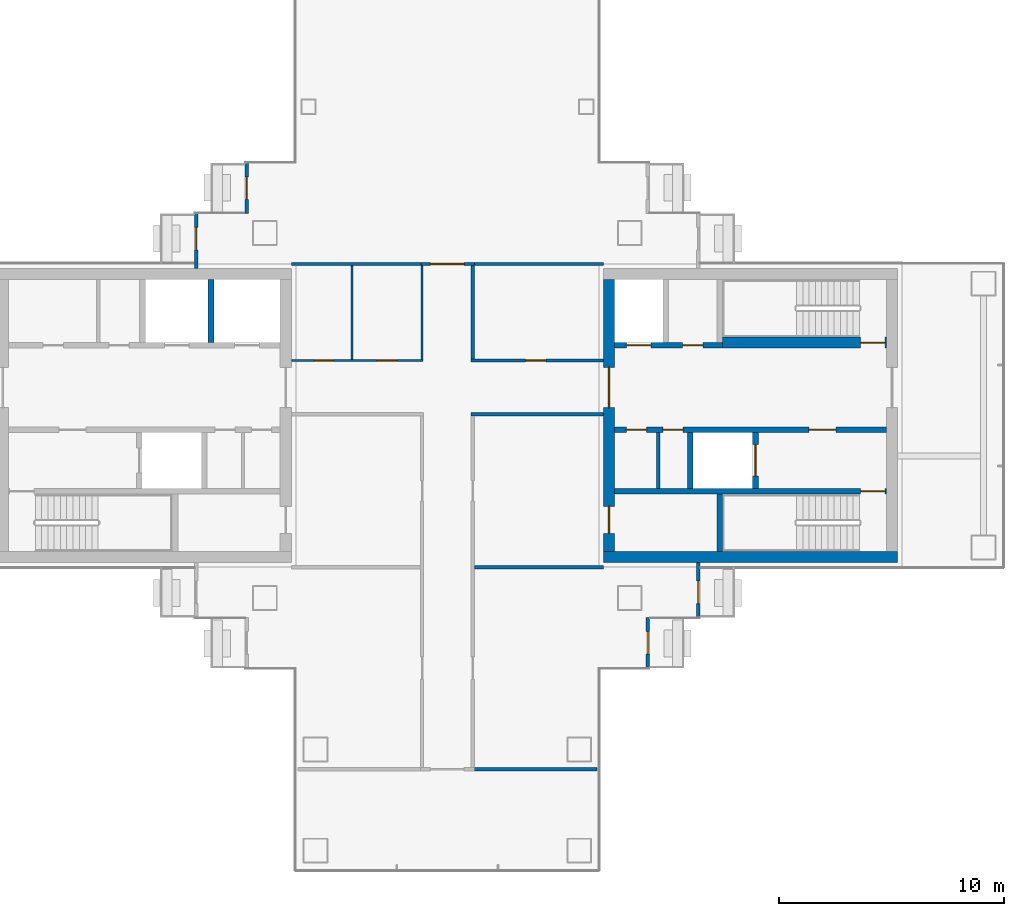
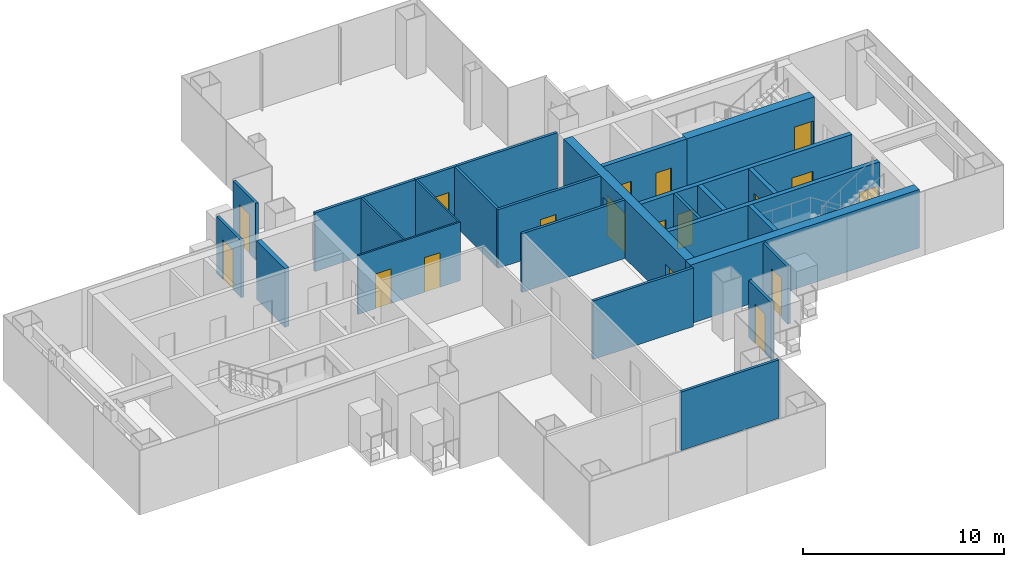
# One storey, part 12 of 17: 26 walls, 18 doors, 18 openings.
"""IFC4 building model written with IfcOpenShell, lengths in metres."""

import ifcopenshell
import ifcopenshell.guid

model = None  # the IFC model being written
_history = None  # IfcOwnerHistory: only IFC2X3 demands one
_inside = {}  # id of a spatial element -> (the spatial element, [elements in it])
_under = {}  # id of a project, library or spatial element -> (it, [spatial elements below it])
_declared = {}  # id of a project -> (the project, [libraries it declares])
_typed = {}  # id of a type object -> (the type object, [elements of that type])
_made_of = {}  # id of a material, layer set ... -> (it, [elements and type objects made of it])


def new_model(schema):
    """Start an empty IFC model of exactly this schema.

    Asked for "IFC4X3", IfcOpenShell would pick the latest addendum, in which some entities
    have other attributes; the version numbers below select the first issue.
    IFC2X3 requires an IfcOwnerHistory on every rooted entity: one is made here for all.
    """
    global model, _history
    if schema == "IFC4X3":
        model = ifcopenshell.file(schema_version=(4, 3, 0, 0))
    else:
        model = ifcopenshell.file(schema=schema)
    _inside.clear()
    _under.clear()
    _declared.clear()
    _typed.clear()
    _made_of.clear()
    _history = None
    if model.schema == "IFC2X3":
        org = make("IfcOrganization", Name="unknown")
        user = make(
            "IfcPersonAndOrganization",
            ThePerson=make("IfcPerson", FamilyName="unknown"),
            TheOrganization=org,
        )
        app = make(
            "IfcApplication",
            ApplicationDeveloper=org,
            Version="unknown",
            ApplicationFullName="unknown",
            ApplicationIdentifier="unknown",
        )
        _history = make(
            "IfcOwnerHistory",
            OwningUser=user,
            OwningApplication=app,
            ChangeAction="ADDED",
            CreationDate=0,
        )
    return model


def make(cls, **values):
    """One entity of the class cls with the attributes given. An attribute that is None is left unset."""
    return model.create_entity(
        cls, **{name: value for name, value in values.items() if value is not None}
    )


def rooted(cls, **values):
    """An entity with a GlobalId (a new one), such as an element, a storey or a relation."""
    return make(cls, GlobalId=ifcopenshell.guid.new(), OwnerHistory=_history, **values)


def si_unit(unit_type, name, prefix=None):
    """IfcSIUnit, for example si_unit("LENGTHUNIT", "METRE", prefix="MILLI")."""
    return make("IfcSIUnit", UnitType=unit_type, Prefix=prefix, Name=name)


def assignment(units):
    """IfcUnitAssignment: the units of a project."""
    return None if units is None else make("IfcUnitAssignment", Units=units)


def point(xyz):
    """IfcCartesianPoint."""
    return None if xyz is None else make("IfcCartesianPoint", Coordinates=xyz)


def direction(xyz):
    """IfcDirection."""
    return None if xyz is None else make("IfcDirection", DirectionRatios=xyz)


def frame(location, z_axis=None, x_axis=None):
    """IfcAxis2Placement3D, a coordinate frame: its origin and axes. An axis left out is left unset."""
    return make(
        "IfcAxis2Placement3D",
        Location=point(location),
        Axis=direction(z_axis),
        RefDirection=direction(x_axis),
    )


def frame_2d(location, x_axis=None):
    """IfcAxis2Placement2D, a coordinate frame in the plane: its origin and x axis."""
    return make(
        "IfcAxis2Placement2D", Location=point(location), RefDirection=direction(x_axis)
    )


def origin():
    """The frame at (0, 0, 0) with its axes left unset."""
    return frame((0.0, 0.0, 0.0))


def place(relative_to, where):
    """IfcLocalPlacement: puts the frame where relative to a parent placement (None: the world)."""
    return make(
        "IfcLocalPlacement", PlacementRelTo=relative_to, RelativePlacement=where
    )


def context(
    kind, dimensions, precision=None, world=None, true_north=None, identifier=None
):
    """IfcGeometricRepresentationContext, for example the 3D "Model" context."""
    return make(
        "IfcGeometricRepresentationContext",
        ContextIdentifier=identifier,
        ContextType=kind,
        CoordinateSpaceDimension=dimensions,
        Precision=precision,
        WorldCoordinateSystem=world,
        TrueNorth=true_north,
    )


def subcontext(parent, identifier, kind, view, scale=None):
    """IfcGeometricRepresentationSubContext, for example "Body" below "Model"."""
    return make(
        "IfcGeometricRepresentationSubContext",
        ContextIdentifier=identifier,
        ContextType=kind,
        ParentContext=parent,
        TargetScale=scale,
        TargetView=view,
    )


def project(units=None, contexts=None):
    """IfcProject with its units and contexts."""
    return rooted(
        "IfcProject",
        Name="project",
        RepresentationContexts=contexts,
        UnitsInContext=assignment(units),
    )


def spatial(cls, under=None, at=None, **own):
    """A site, building, storey or space (cls), placed at a placement, below another one or the project."""
    s = rooted(cls, ObjectPlacement=at, **own)
    if under is not None:
        _under.setdefault(under.id(), (under, []))[1].append(s)
    return s


def profile(cls, at=None, kind="AREA", **sizes):
    """A parametric profile (cls). Its sizes go by their IFC names, for example OverallWidth=200.0."""
    return make(cls, ProfileType=kind, Position=at, **sizes)


def rectangle(**sizes):
    """IfcRectangleProfileDef."""
    return profile("IfcRectangleProfileDef", **sizes)


def extrude(swept, where, along, depth):
    """IfcExtrudedAreaSolid: the profile swept, set in the frame where, extruded along a direction by depth."""
    return make(
        "IfcExtrudedAreaSolid",
        SweptArea=swept,
        Position=where,
        ExtrudedDirection=direction(along),
        Depth=depth,
    )


def shape(context_of_items, identifier, shape_type, items):
    """IfcShapeRepresentation: the items that make up one representation, for example the "Body"."""
    return make(
        "IfcShapeRepresentation",
        ContextOfItems=context_of_items,
        RepresentationIdentifier=identifier,
        RepresentationType=shape_type,
        Items=items,
    )


def material(Name=None, Category=None):
    """IfcMaterial."""
    return make("IfcMaterial", Name=Name, Category=Category)


def layer(
    of_material, thickness, ventilated=None, Name=None, Category=None, Priority=None
):
    """IfcMaterialLayer: one layer of a wall or slab, of a material (None: an air gap)."""
    return make(
        "IfcMaterialLayer",
        Material=of_material,
        LayerThickness=thickness,
        IsVentilated=ventilated,
        Name=Name,
        Category=Category,
        Priority=Priority,
    )


def layer_set(layers, Name=None):
    """IfcMaterialLayerSet."""
    return make("IfcMaterialLayerSet", MaterialLayers=layers, LayerSetName=Name)


def made_of(thing, what):
    """Note that an element or type object is made of a material, layer set ...; save() writes the relation."""
    if what is not None:
        _made_of.setdefault(what.id(), (what, []))[1].append(thing)
    return thing


def type_object(cls, material=None, **own):
    """A type object (cls), such as IfcWallType, which elements share."""
    return made_of(rooted(cls, **own), material)


def element(
    cls,
    number,
    at=None,
    inside=None,
    cuts=None,
    type_object=None,
    material=None,
    context=None,
    identifier="Body",
    shape_type=None,
    held_by="IfcProductDefinitionShape",
    body=None,
    shapes=None,
    **own,
):
    """One element of the class cls, such as IfcWall. Its Tag is "e" and its number.

    at: its placement. inside: the storey or other place that contains it. cuts: it is an
    opening in that element (IfcRelVoidsElement). A single representation is given by context,
    identifier, shape_type and body (its items); several are given by shapes. held_by: the class
    of the entity that holds the representations. save() writes the other relations.
    """
    e = rooted(cls, Tag="e%d" % number, ObjectPlacement=at, **own)
    if body is not None:
        shapes = [shape(context, identifier, shape_type, body)]
    if shapes is not None:
        e.Representation = make(held_by, Representations=shapes)
    if inside is not None:
        _inside.setdefault(inside.id(), (inside, []))[1].append(e)
    if cuts is not None:
        rooted(
            "IfcRelVoidsElement", RelatingBuildingElement=cuts, RelatedOpeningElement=e
        )
    if type_object is not None:
        _typed.setdefault(type_object.id(), (type_object, []))[1].append(e)
    return made_of(e, material)


def fill(opening, filler):
    """IfcRelFillsElement: the door or window that sits in an opening."""
    return rooted(
        "IfcRelFillsElement",
        RelatingOpeningElement=opening,
        RelatedBuildingElement=filler,
    )


def aggregate(whole, parts):
    """IfcRelAggregates: a whole, such as a stair, and the parts it consists of."""
    return rooted("IfcRelAggregates", RelatingObject=whole, RelatedObjects=parts)


def save(model, path):
    """Write the relations noted so far, then the file.

    IfcRelAggregates (storeys below a building ...), IfcRelContainedInSpatialStructure (elements
    in a storey), IfcRelDefinesByType, IfcRelAssociatesMaterial and IfcRelDeclares: one each for
    every whole, place, type object, material and project.
    """
    for whole, parts in _under.values():
        aggregate(whole, parts)
    for where, things in _inside.values():
        rooted(
            "IfcRelContainedInSpatialStructure",
            RelatedElements=things,
            RelatingStructure=where,
        )
    for kind, things in _typed.values():
        rooted("IfcRelDefinesByType", RelatedObjects=things, RelatingType=kind)
    for what, things in _made_of.values():
        rooted("IfcRelAssociatesMaterial", RelatedObjects=things, RelatingMaterial=what)
    for by, libraries in _declared.values():
        rooted("IfcRelDeclares", RelatingContext=by, RelatedDefinitions=libraries)
    model.write(path)


model = new_model("IFC4")

# Units and contexts
model_context = context("Model", 3, precision=1e-05, world=origin(), true_north=direction((0.0, 1.0)))
body_context = subcontext(model_context, "Body", "Model", "MODEL_VIEW")
ifc_project = project(units=[si_unit("LENGTHUNIT", "METRE"), si_unit("AREAUNIT", "SQUARE_METRE"), si_unit("VOLUMEUNIT", "CUBIC_METRE"), si_unit("PLANEANGLEUNIT", "RADIAN"), si_unit("MASSUNIT", "GRAM", prefix="KILO")], contexts=[model_context])

# Site, building, storey
site_placement = place(None, origin())
site = spatial("IfcSite", under=ifc_project, at=site_placement, CompositionType="ELEMENT")
building_placement = place(site_placement, origin())
building = spatial("IfcBuilding", under=site, at=building_placement, Name="Shamsa Quay Exchange Towers", CompositionType="ELEMENT")
storey_placement = place(building_placement, frame((0.0, 0.0, 170.10009765625)))
storey = spatial("IfcBuildingStorey", under=building, at=storey_placement, Name="L40", CompositionType="ELEMENT", Elevation=170.10009765625)

# Wall, opening, door
ifc_material_1 = material(Name="Aluminium EN AW-6063 T6, black anodised, with black enamelled glass infill", Category="aluminium")
ifc_layer_1 = layer(ifc_material_1, 0.14990234375)
ifc_layer_set_1 = layer_set([ifc_layer_1], Name="BALCONY DOOR BAY WALL 150")
wall_type_1 = type_object("IfcWallType", Name="BALCONY DOOR BAY WALL 150", PredefinedType="SOLIDWALL", material=ifc_layer_set_1)
wall_1_placement = place(storey_placement, frame((24.824951171875, 9.0, 0.0), z_axis=(0.0, 0.0, 1.0), x_axis=(0.0, 1.0, 0.0)))
wall_1 = element("IfcWall", 1, at=wall_1_placement, inside=storey, type_object=wall_type_1, Name="Door bay T2-PKEN L40", PredefinedType="SOLIDWALL", context=body_context, shape_type="SweptSolid", body=[
    extrude(rectangle(XDim=2.25, YDim=0.14990234375, at=frame_2d((1.125, 0.0))), origin(), (0.0, 0.0, 1.0), 3.449951171875),
])
opening_1_placement = place(wall_1_placement, frame((0.625, 0.0, 0.0)))
opening_1 = element("IfcOpeningElement", 2, at=opening_1_placement, cuts=wall_1, Name="Opening XD249", PredefinedType="OPENING", context=body_context, shape_type="SweptSolid", body=[
    extrude(rectangle(XDim=1.0, YDim=2.39990234375, at=frame_2d((0.5, 1.199951171875))), frame((0.0, 0.0849609375, 0.0), z_axis=(0.0, -1.0, 0.0), x_axis=(1.0, 0.0, 0.0)), (0.0, 0.0, 1.0), 0.169921875),
])
ifc_material_2 = material(Name="Aluminium EN AW-6063 T6, black anodised, with laminated glass leaf", Category="aluminium")
door_type_1 = type_object("IfcDoorType", Name="BALCONY DOOR 1000x2400", OperationType="SINGLE_SWING_LEFT", PredefinedType="DOOR", material=ifc_material_2)
door_1_placement = place(opening_1_placement, origin())
door_1 = element("IfcDoor", 3, at=door_1_placement, inside=storey, type_object=door_type_1, Name="Balcony door T2-PKEN L40", OperationType="SINGLE_SWING_RIGHT", OverallHeight=2.39990234375, OverallWidth=1.0, PredefinedType="DOOR", context=body_context, shape_type="SweptSolid", body=[
    extrude(rectangle(XDim=1.0, YDim=2.39990234375, at=frame_2d((0.5, 1.199951171875))), frame((0.0, 0.02490234375, 0.0), z_axis=(0.0, -1.0, 0.0), x_axis=(1.0, 0.0, 0.0)), (0.0, 0.0, 1.0), 0.050048828125),
])
fill(opening_1, door_1)

wall_2_placement = place(storey_placement, frame((22.574951171875, 6.54296875, 0.0), z_axis=(0.0, 0.0, 1.0), x_axis=(0.0, 1.0, 0.0)))
wall_2 = element("IfcWall", 4, at=wall_2_placement, inside=storey, type_object=wall_type_1, Name="Door bay T2-PKEN L40", PredefinedType="SOLIDWALL", context=body_context, shape_type="SweptSolid", body=[
    extrude(rectangle(XDim=2.45703125, YDim=0.14990234375, at=frame_2d((1.228515625, 0.0))), origin(), (0.0, 0.0, 1.0), 3.449951171875),
])
opening_2_placement = place(wall_2_placement, frame((0.83203125, 0.0, 0.0)))
opening_2 = element("IfcOpeningElement", 5, at=opening_2_placement, cuts=wall_2, Name="Opening XD250", PredefinedType="OPENING", context=body_context, shape_type="SweptSolid", body=[
    extrude(rectangle(XDim=1.0, YDim=2.39990234375, at=frame_2d((0.5, 1.199951171875))), frame((0.0, 0.0849609375, 0.0), z_axis=(0.0, -1.0, 0.0), x_axis=(1.0, 0.0, 0.0)), (0.0, 0.0, 1.0), 0.169921875),
])
door_2_placement = place(opening_2_placement, origin())
door_2 = element("IfcDoor", 6, at=door_2_placement, inside=storey, type_object=door_type_1, Name="Balcony door T2-PKEN L40", OperationType="SINGLE_SWING_LEFT", OverallHeight=2.39990234375, OverallWidth=1.0, PredefinedType="DOOR", context=body_context, shape_type="SweptSolid", body=[
    extrude(rectangle(XDim=1.0, YDim=2.39990234375, at=frame_2d((0.5, 1.199951171875))), frame((0.0, 0.02490234375, 0.0), z_axis=(0.0, -1.0, 0.0), x_axis=(1.0, 0.0, 0.0)), (0.0, 0.0, 1.0), 0.050048828125),
])
fill(opening_2, door_2)

wall_3_placement = place(storey_placement, frame((42.675048828125, -9.0, 0.0), z_axis=(0.0, 0.0, 1.0), x_axis=(0.0, -1.0, 0.0)))
wall_3 = element("IfcWall", 7, at=wall_3_placement, inside=storey, type_object=wall_type_1, Name="Door bay T2-PKWS L40", PredefinedType="SOLIDWALL", context=body_context, shape_type="SweptSolid", body=[
    extrude(rectangle(XDim=2.25, YDim=0.14990234375, at=frame_2d((1.125, 0.0))), origin(), (0.0, 0.0, 1.0), 3.449951171875),
])
opening_3_placement = place(wall_3_placement, frame((0.625, 0.0, 0.0)))
opening_3 = element("IfcOpeningElement", 8, at=opening_3_placement, cuts=wall_3, Name="Opening XD255", PredefinedType="OPENING", context=body_context, shape_type="SweptSolid", body=[
    extrude(rectangle(XDim=1.0, YDim=2.39990234375, at=frame_2d((0.5, 1.199951171875))), frame((0.0, 0.0849609375, 0.0), z_axis=(0.0, -1.0, 0.0), x_axis=(1.0, 0.0, 0.0)), (0.0, 0.0, 1.0), 0.169921875),
])
door_3_placement = place(opening_3_placement, origin())
door_3 = element("IfcDoor", 9, at=door_3_placement, inside=storey, type_object=door_type_1, Name="Balcony door T2-PKWS L40", OperationType="SINGLE_SWING_LEFT", OverallHeight=2.39990234375, OverallWidth=1.0, PredefinedType="DOOR", context=body_context, shape_type="SweptSolid", body=[
    extrude(rectangle(XDim=1.0, YDim=2.39990234375, at=frame_2d((0.5, 1.199951171875))), frame((0.0, 0.02490234375, 0.0), z_axis=(0.0, -1.0, 0.0), x_axis=(1.0, 0.0, 0.0)), (0.0, 0.0, 1.0), 0.050048828125),
])
fill(opening_3, door_3)

wall_4_placement = place(storey_placement, frame((44.925048828125, -6.54296875, 0.0), z_axis=(0.0, 0.0, 1.0), x_axis=(0.0, -1.0, 0.0)))
wall_4 = element("IfcWall", 10, at=wall_4_placement, inside=storey, type_object=wall_type_1, Name="Door bay T2-PKWS L40", PredefinedType="SOLIDWALL", context=body_context, shape_type="SweptSolid", body=[
    extrude(rectangle(XDim=2.45703125, YDim=0.14990234375, at=frame_2d((1.228515625, 0.0))), origin(), (0.0, 0.0, 1.0), 3.449951171875),
])
opening_4_placement = place(wall_4_placement, frame((0.83203125, 0.0, 0.0)))
opening_4 = element("IfcOpeningElement", 11, at=opening_4_placement, cuts=wall_4, Name="Opening XD256", PredefinedType="OPENING", context=body_context, shape_type="SweptSolid", body=[
    extrude(rectangle(XDim=1.0, YDim=2.39990234375, at=frame_2d((0.5, 1.199951171875))), frame((0.0, 0.0849609375, 0.0), z_axis=(0.0, -1.0, 0.0), x_axis=(1.0, 0.0, 0.0)), (0.0, 0.0, 1.0), 0.169921875),
])
door_4_placement = place(opening_4_placement, origin())
door_4 = element("IfcDoor", 12, at=door_4_placement, inside=storey, type_object=door_type_1, Name="Balcony door T2-PKWS L40", OperationType="SINGLE_SWING_RIGHT", OverallHeight=2.39990234375, OverallWidth=1.0, PredefinedType="DOOR", context=body_context, shape_type="SweptSolid", body=[
    extrude(rectangle(XDim=1.0, YDim=2.39990234375, at=frame_2d((0.5, 1.199951171875))), frame((0.0, 0.02490234375, 0.0), z_axis=(0.0, -1.0, 0.0), x_axis=(1.0, 0.0, 0.0)), (0.0, 0.0, 1.0), 0.050048828125),
])
fill(opening_4, door_4)

# Wall
ifc_material_3 = material(Name="Concrete C60/75", Category="concrete")
ifc_layer_2 = layer(ifc_material_3, 0.5)
ifc_layer_set_2 = layer_set([ifc_layer_2], Name="CORE WALL 500 C60/75")
wall_type_2 = type_object("IfcWallType", Name="CORE WALL 500 C60/75", PredefinedType="SHEAR", material=ifc_layer_set_2)
wall_5_placement = place(storey_placement, frame((53.800048828125, -6.300048828125, 0.0), z_axis=(0.0, 0.0, 1.0), x_axis=(-1.0, 0.0, 0.0)))
element("IfcWall", 13, at=wall_5_placement, inside=storey, type_object=wall_type_2, Name="Core wall T2B-R19-PS", PredefinedType="SHEAR", context=body_context, shape_type="SweptSolid", body=[
    extrude(rectangle(XDim=13.10009765625, YDim=0.5, at=frame_2d((6.550048828125, 0.0))), origin(), (0.0, 0.0, 1.0), 3.5498046875),
])

# Wall, openings, doors
wall_6_placement = place(storey_placement, frame((40.949951171875, -6.050048828125, 0.0), z_axis=(0.0, 0.0, 1.0), x_axis=(0.0, 1.0, 0.0)))
wall_6 = element("IfcWall", 14, at=wall_6_placement, inside=storey, type_object=wall_type_2, Name="Core wall T2B-R19-PB", PredefinedType="SHEAR", context=body_context, shape_type="SweptSolid", body=[
    extrude(rectangle(XDim=12.10009765625, YDim=0.5, at=frame_2d((6.050048828125, 0.0))), origin(), (0.0, 0.0, 1.0), 3.5498046875),
])
opening_5_placement = place(wall_6_placement, frame((0.800048828125, 0.0, 0.0)))
opening_5 = element("IfcOpeningElement", 15, at=opening_5_placement, cuts=wall_6, Name="Opening T2B-R19-RD02", PredefinedType="OPENING", context=body_context, shape_type="SweptSolid", body=[
    extrude(rectangle(XDim=1.199951171875, YDim=2.10009765625, at=frame_2d((0.60009765625, 1.050048828125))), frame((0.0, 0.260009765625, 0.0), z_axis=(0.0, -1.0, 0.0), x_axis=(1.0, 0.0, 0.0)), (0.0, 0.0, 1.0), 0.52001953125),
])
opening_6_placement = place(wall_6_placement, frame((6.39990234375, 0.0, 0.0)))
opening_6 = element("IfcOpeningElement", 16, at=opening_6_placement, cuts=wall_6, Name="Opening T2B-R19-LBD03", PredefinedType="OPENING", context=body_context, shape_type="SweptSolid", body=[
    extrude(rectangle(XDim=1.800048828125, YDim=2.39990234375, at=frame_2d((0.89990234375, 1.199951171875))), frame((0.0, 0.260009765625, 0.0), z_axis=(0.0, -1.0, 0.0), x_axis=(1.0, 0.0, 0.0)), (0.0, 0.0, 1.0), 0.52001953125),
])
ifc_material_4 = material(Name="Steel, fire rated", Category="steel")
door_type_2 = type_object("IfcDoorType", Name="LIFT LOBBY DOOR PAIR 1800", OperationType="DOUBLE_DOOR_SINGLE_SWING", PredefinedType="DOOR", material=ifc_material_4)
door_5_placement = place(opening_6_placement, origin())
door_5 = element("IfcDoor", 17, at=door_5_placement, inside=storey, type_object=door_type_2, Name="T2B-R19-LBD03", OperationType="DOUBLE_DOOR_SINGLE_SWING", OverallHeight=2.39990234375, OverallWidth=1.800048828125, PredefinedType="DOOR", context=body_context, shape_type="SweptSolid", body=[
    extrude(rectangle(XDim=1.800048828125, YDim=2.39990234375, at=frame_2d((0.89990234375, 1.199951171875))), frame((0.0, 0.02490234375, 0.0), z_axis=(0.0, -1.0, 0.0), x_axis=(1.0, 0.0, 0.0)), (0.0, 0.0, 1.0), 0.050048828125),
])
fill(opening_6, door_5)
door_type_3 = type_object("IfcDoorType", Name="RISER ACCESS DOOR 1200", OperationType="SINGLE_SWING_LEFT", PredefinedType="DOOR", material=ifc_material_4)
door_6_placement = place(opening_5_placement, origin())
door_6 = element("IfcDoor", 18, at=door_6_placement, inside=storey, type_object=door_type_3, Name="T2B-R19-RD02", OperationType="SINGLE_SWING_LEFT", OverallHeight=2.10009765625, OverallWidth=1.199951171875, PredefinedType="DOOR", context=body_context, shape_type="SweptSolid", body=[
    extrude(rectangle(XDim=1.199951171875, YDim=2.10009765625, at=frame_2d((0.60009765625, 1.050048828125))), frame((0.0, 0.02490234375, 0.0), z_axis=(0.0, -1.0, 0.0), x_axis=(1.0, 0.0, 0.0)), (0.0, 0.0, 1.0), 0.050048828125),
])
fill(opening_5, door_6)

# Walls
ifc_material_5 = material(Name="Gypsum board on steel studs, EI 60", Category="steel")
ifc_layer_3 = layer(ifc_material_5, 0.14990234375)
ifc_layer_set_3 = layer_set([ifc_layer_3], Name="FIRE PARTITION 150")
wall_type_3 = type_object("IfcWallType", Name="FIRE PARTITION 150", PredefinedType="PARTITIONING", material=ifc_layer_set_3)
wall_7_placement = place(storey_placement, frame((43.14990234375, -3.25, 0.0), z_axis=(0.0, 0.0, 1.0), x_axis=(0.0, 1.0, 0.0)))
element("IfcWall", 19, at=wall_7_placement, inside=storey, type_object=wall_type_3, Name="Partition T2B-R19-EC0", PredefinedType="PARTITIONING", context=body_context, shape_type="SweptSolid", body=[
    extrude(rectangle(XDim=2.5, YDim=0.14990234375, at=frame_2d((1.25, 0.0))), origin(), (0.0, 0.0, 1.0), 3.5498046875),
])
ifc_material_6 = material(Name="Gypsum board partition on metal studs")
ifc_layer_4 = layer(ifc_material_6, 0.10009765625)
ifc_layer_set_4 = layer_set([ifc_layer_4], Name="Partition 100 mm NOT RATED")
wall_type_4 = type_object("IfcWallType", Name="Partition 100 mm NOT RATED", PredefinedType="PARTITIONING", material=ifc_layer_set_4)
wall_8_placement = place(storey_placement, frame((32.625, 2.500244140625, 0.0), z_axis=(0.0, 0.0, 1.0), x_axis=(0.0, 1.0, 0.0)))
element("IfcWall", 20, at=wall_8_placement, inside=storey, type_object=wall_type_4, Name="Partition T2-R19-W01", PredefinedType="PARTITIONING", context=body_context, shape_type="SweptSolid", body=[
    extrude(rectangle(XDim=4.1748046875, YDim=0.10009765625, at=frame_2d((2.08740234375, 0.0))), origin(), (0.0, 0.0, 1.0), 3.5498046875),
])

# Wall, openings, doors
wall_9_placement = place(storey_placement, frame((26.800048828125, 2.4501953125, 0.0)))
wall_9 = element("IfcWall", 21, at=wall_9_placement, inside=storey, type_object=wall_type_4, Name="Partition T2-R19-W02", PredefinedType="PARTITIONING", context=body_context, shape_type="SweptSolid", body=[
    extrude(rectangle(XDim=5.875, YDim=0.10009765625, at=frame_2d((2.9375, 0.0))), origin(), (0.0, 0.0, 1.0), 3.5498046875),
])
opening_7_placement = place(wall_9_placement, frame((3.8125, 0.0, 0.0)))
opening_7 = element("IfcOpeningElement", 22, at=opening_7_placement, cuts=wall_9, Name="Opening T2-R19-D08", PredefinedType="OPENING", context=body_context, shape_type="SweptSolid", body=[
    extrude(rectangle(XDim=0.89990234375, YDim=2.10009765625, at=frame_2d((0.449951171875, 1.050048828125))), frame((0.0, 0.06005859375, 0.0), z_axis=(0.0, -1.0, 0.0), x_axis=(1.0, 0.0, 0.0)), (0.0, 0.0, 1.0), 0.1201171875),
])
opening_8_placement = place(wall_9_placement, frame((1.0, 0.0, 0.0)))
opening_8 = element("IfcOpeningElement", 23, at=opening_8_placement, cuts=wall_9, Name="Opening T2-R19-D09", PredefinedType="OPENING", context=body_context, shape_type="SweptSolid", body=[
    extrude(rectangle(XDim=0.89990234375, YDim=2.10009765625, at=frame_2d((0.449951171875, 1.050048828125))), frame((0.0, 0.06005859375, 0.0), z_axis=(0.0, -1.0, 0.0), x_axis=(1.0, 0.0, 0.0)), (0.0, 0.0, 1.0), 0.1201171875),
])
ifc_material_7 = material(Name="Timber door leaf in a metal frame", Category="wood")
door_type_4 = type_object("IfcDoorType", Name="Door 900x2100 NOT RATED", OperationType="NOTDEFINED", PredefinedType="DOOR", material=ifc_material_7)
door_7_placement = place(opening_7_placement, origin())
door_7 = element("IfcDoor", 24, at=door_7_placement, inside=storey, type_object=door_type_4, Name="Door T2-R19-D08", OperationType="SINGLE_SWING_LEFT", OverallHeight=2.10009765625, OverallWidth=0.89990234375, PredefinedType="DOOR", context=body_context, shape_type="SweptSolid", body=[
    extrude(rectangle(XDim=0.89990234375, YDim=2.10009765625, at=frame_2d((0.449951171875, 1.050048828125))), frame((0.0, 0.02490234375, 0.0), z_axis=(0.0, -1.0, 0.0), x_axis=(1.0, 0.0, 0.0)), (0.0, 0.0, 1.0), 0.050048828125),
])
fill(opening_7, door_7)
door_8_placement = place(opening_8_placement, origin())
door_8 = element("IfcDoor", 25, at=door_8_placement, inside=storey, type_object=door_type_4, Name="Door T2-R19-D09", OperationType="SINGLE_SWING_RIGHT", OverallHeight=2.10009765625, OverallWidth=0.89990234375, PredefinedType="DOOR", context=body_context, shape_type="SweptSolid", body=[
    extrude(rectangle(XDim=0.89990234375, YDim=2.10009765625, at=frame_2d((0.449951171875, 1.050048828125))), frame((0.0, 0.02490234375, 0.0), z_axis=(0.0, -1.0, 0.0), x_axis=(1.0, 0.0, 0.0)), (0.0, 0.0, 1.0), 0.050048828125),
])
fill(opening_8, door_8)

# Walls
wall_10_placement = place(storey_placement, frame((29.5, 6.675048828125, 0.0), z_axis=(0.0, 0.0, 1.0), x_axis=(0.0, -1.0, 0.0)))
element("IfcWall", 26, at=wall_10_placement, inside=storey, type_object=wall_type_4, Name="Partition T2-R19-W11", PredefinedType="PARTITIONING", context=body_context, shape_type="SweptSolid", body=[
    extrude(rectangle(XDim=4.1748046875, YDim=0.10009765625, at=frame_2d((2.08740234375, 0.0))), origin(), (0.0, 0.0, 1.0), 3.5498046875),
])
ifc_layer_5 = layer(ifc_material_6, 0.14990234375)
ifc_layer_set_5 = layer_set([ifc_layer_5], Name="Partition 150 mm EI 60")
wall_type_5 = type_object("IfcWallType", Name="Partition 150 mm EI 60", PredefinedType="PARTITIONING", material=ifc_layer_set_5)
wall_11_placement = place(storey_placement, frame((40.699951171875, 0.0498046875, 0.0), z_axis=(0.0, 0.0, 1.0), x_axis=(-1.0, 0.0, 0.0)))
element("IfcWall", 27, at=wall_11_placement, inside=storey, type_object=wall_type_5, Name="Partition T2-R19-W04", PredefinedType="PARTITIONING", context=body_context, shape_type="SweptSolid", body=[
    extrude(rectangle(XDim=5.89990234375, YDim=0.14990234375, at=frame_2d((2.949951171875, 0.0))), origin(), (0.0, 0.0, 1.0), 3.5498046875),
])

# Wall, opening, door
wall_12_placement = place(storey_placement, frame((34.800048828125, 2.4501953125, 0.0)))
wall_12 = element("IfcWall", 28, at=wall_12_placement, inside=storey, type_object=wall_type_5, Name="Partition T2-R19-W06", PredefinedType="PARTITIONING", context=body_context, shape_type="SweptSolid", body=[
    extrude(rectangle(XDim=5.89990234375, YDim=0.14990234375, at=frame_2d((2.949951171875, 0.0))), origin(), (0.0, 0.0, 1.0), 3.5498046875),
])
opening_9_placement = place(wall_12_placement, frame((2.4375, 0.0, 0.0)))
opening_9 = element("IfcOpeningElement", 29, at=opening_9_placement, cuts=wall_12, Name="Opening T2-R19-D01", PredefinedType="OPENING", context=body_context, shape_type="SweptSolid", body=[
    extrude(rectangle(XDim=0.89990234375, YDim=2.10009765625, at=frame_2d((0.449951171875, 1.050048828125))), frame((0.0, 0.0849609375, 0.0), z_axis=(0.0, -1.0, 0.0), x_axis=(1.0, 0.0, 0.0)), (0.0, 0.0, 1.0), 0.169921875),
])
door_type_5 = type_object("IfcDoorType", Name="Door 900x2100 FD30S", OperationType="NOTDEFINED", PredefinedType="DOOR", material=ifc_material_7)
door_9_placement = place(opening_9_placement, origin())
door_9 = element("IfcDoor", 30, at=door_9_placement, inside=storey, type_object=door_type_5, Name="Door T2-R19-D01", OperationType="SINGLE_SWING_RIGHT", OverallHeight=2.10009765625, OverallWidth=0.89990234375, PredefinedType="DOOR", context=body_context, shape_type="SweptSolid", body=[
    extrude(rectangle(XDim=0.89990234375, YDim=2.10009765625, at=frame_2d((0.449951171875, 1.050048828125))), frame((0.0, 0.02490234375, 0.0), z_axis=(0.0, -1.0, 0.0), x_axis=(1.0, 0.0, 0.0)), (0.0, 0.0, 1.0), 0.050048828125),
])
fill(opening_9, door_9)

# Wall
wall_13_placement = place(storey_placement, frame((34.875, 6.675048828125, 0.0), z_axis=(0.0, 0.0, 1.0), x_axis=(0.0, -1.0, 0.0)))
element("IfcWall", 31, at=wall_13_placement, inside=storey, type_object=wall_type_5, Name="Partition T2-R19-W08", PredefinedType="PARTITIONING", context=body_context, shape_type="SweptSolid", body=[
    extrude(rectangle(XDim=4.14990234375, YDim=0.14990234375, at=frame_2d((2.074951171875, 0.0))), origin(), (0.0, 0.0, 1.0), 3.5498046875),
])

# Wall, opening, door
wall_14_placement = place(storey_placement, frame((32.574951171875, 6.75, 0.0)))
wall_14 = element("IfcWall", 32, at=wall_14_placement, inside=storey, type_object=wall_type_5, Name="Partition T2-R19-W09", PredefinedType="PARTITIONING", context=body_context, shape_type="SweptSolid", body=[
    extrude(rectangle(XDim=2.375, YDim=0.14990234375, at=frame_2d((1.1875, 0.0))), origin(), (0.0, 0.0, 1.0), 3.5498046875),
])
opening_10_placement = place(wall_14_placement, frame((0.425048828125, 0.0, 0.0)))
opening_10 = element("IfcOpeningElement", 33, at=opening_10_placement, cuts=wall_14, Name="Opening T2-R19-D04", PredefinedType="OPENING", context=body_context, shape_type="SweptSolid", body=[
    extrude(rectangle(XDim=1.5, YDim=2.10009765625, at=frame_2d((0.75, 1.050048828125))), frame((0.0, 0.0849609375, 0.0), z_axis=(0.0, -1.0, 0.0), x_axis=(1.0, 0.0, 0.0)), (0.0, 0.0, 1.0), 0.169921875),
])
door_type_6 = type_object("IfcDoorType", Name="Door 1500x2100 FD30S pair", OperationType="NOTDEFINED", PredefinedType="DOOR", material=ifc_material_7)
door_10_placement = place(opening_10_placement, origin())
door_10 = element("IfcDoor", 34, at=door_10_placement, inside=storey, type_object=door_type_6, Name="Door T2-R19-D04", OperationType="DOUBLE_DOOR_SINGLE_SWING", OverallHeight=2.10009765625, OverallWidth=1.5, PredefinedType="DOOR", context=body_context, shape_type="SweptSolid", body=[
    extrude(rectangle(XDim=1.5, YDim=2.10009765625, at=frame_2d((0.75, 1.050048828125))), frame((0.0, 0.02490234375, 0.0), z_axis=(0.0, -1.0, 0.0), x_axis=(1.0, 0.0, 0.0)), (0.0, 0.0, 1.0), 0.050048828125),
])
fill(opening_10, door_10)

# Walls
wall_15_placement = place(storey_placement, frame((32.675048828125, 6.75, 0.0), z_axis=(0.0, 0.0, 1.0), x_axis=(-1.0, 0.0, 0.0)))
element("IfcWall", 35, at=wall_15_placement, inside=storey, type_object=wall_type_5, Name="Partition T2-R19-W12", PredefinedType="PARTITIONING", context=body_context, shape_type="SweptSolid", body=[
    extrude(rectangle(XDim=5.875, YDim=0.14990234375, at=frame_2d((2.9375, 0.0))), origin(), (0.0, 0.0, 1.0), 3.5498046875),
])
wall_16_placement = place(storey_placement, frame((40.699951171875, 6.75, 0.0), z_axis=(0.0, 0.0, 1.0), x_axis=(-1.0, 0.0, 0.0)))
element("IfcWall", 36, at=wall_16_placement, inside=storey, type_object=wall_type_5, Name="Partition T2-R19-W13", PredefinedType="PARTITIONING", context=body_context, shape_type="SweptSolid", body=[
    extrude(rectangle(XDim=5.89990234375, YDim=0.14990234375, at=frame_2d((2.949951171875, 0.0))), origin(), (0.0, 0.0, 1.0), 3.5498046875),
])
wall_17_placement = place(storey_placement, frame((34.949951171875, -6.75, 0.0)))
element("IfcWall", 37, at=wall_17_placement, inside=storey, type_object=wall_type_5, Name="Partition T2-R19-W14", PredefinedType="PARTITIONING", context=body_context, shape_type="SweptSolid", body=[
    extrude(rectangle(XDim=5.75, YDim=0.14990234375, at=frame_2d((2.875, 0.0))), origin(), (0.0, 0.0, 1.0), 3.5498046875),
])
wall_18_placement = place(storey_placement, frame((34.800048828125, -15.75, 0.0)))
element("IfcWall", 38, at=wall_18_placement, inside=storey, type_object=wall_type_5, Name="Partition T2-R19-W16", PredefinedType="PARTITIONING", context=body_context, shape_type="SweptSolid", body=[
    extrude(rectangle(XDim=5.60498046875, YDim=0.14990234375, at=frame_2d((2.802490234375, 0.0))), origin(), (0.0, 0.0, 1.0), 3.5498046875),
])
ifc_material_8 = material(Name="Concrete C50/60", Category="concrete")
ifc_layer_6 = layer(ifc_material_8, 0.25)
ifc_layer_set_6 = layer_set([ifc_layer_6], Name="SHAFT WALL 250 C50/60")
wall_type_6 = type_object("IfcWallType", Name="SHAFT WALL 250 C50/60", PredefinedType="SHEAR", material=ifc_layer_set_6)
wall_19_placement = place(storey_placement, frame((23.22509765625, 3.25, 0.0), z_axis=(0.0, 0.0, 1.0), x_axis=(0.0, 1.0, 0.0)))
element("IfcWall", 39, at=wall_19_placement, inside=storey, type_object=wall_type_6, Name="Shaft wall T2A-R19-D2", PredefinedType="SHEAR", context=body_context, shape_type="SweptSolid", body=[
    extrude(rectangle(XDim=2.800048828125, YDim=0.25, at=frame_2d((1.39990234375, 0.0))), origin(), (0.0, 0.0, 1.0), 3.5498046875),
])

# Wall, opening, door
wall_20_placement = place(storey_placement, frame((53.300048828125, -3.375, 0.0), z_axis=(0.0, 0.0, 1.0), x_axis=(-1.0, 0.0, 0.0)))
wall_20 = element("IfcWall", 40, at=wall_20_placement, inside=storey, type_object=wall_type_6, Name="Shaft wall T2B-R19-STL", PredefinedType="SHEAR", context=body_context, shape_type="SweptSolid", body=[
    extrude(rectangle(XDim=12.10009765625, YDim=0.25, at=frame_2d((6.050048828125, 0.0))), origin(), (0.0, 0.0, 1.0), 3.5498046875),
])
opening_11_placement = place(wall_20_placement, frame((0.050048828125, 0.0, 0.0)))
opening_11 = element("IfcOpeningElement", 41, at=opening_11_placement, cuts=wall_20, Name="Opening T2B-R19-SD04", PredefinedType="OPENING", context=body_context, shape_type="SweptSolid", body=[
    extrude(rectangle(XDim=1.10009765625, YDim=2.10009765625, at=frame_2d((0.550048828125, 1.050048828125))), frame((0.0, 0.135009765625, 0.0), z_axis=(0.0, -1.0, 0.0), x_axis=(1.0, 0.0, 0.0)), (0.0, 0.0, 1.0), 0.27001953125),
])
door_type_7 = type_object("IfcDoorType", Name="STAIR DOOR 1100", OperationType="SINGLE_SWING_LEFT", PredefinedType="DOOR", material=ifc_material_4)
door_11_placement = place(opening_11_placement, origin())
door_11 = element("IfcDoor", 42, at=door_11_placement, inside=storey, type_object=door_type_7, Name="T2B-R19-SD04", OperationType="SINGLE_SWING_LEFT", OverallHeight=2.10009765625, OverallWidth=1.10009765625, PredefinedType="DOOR", context=body_context, shape_type="SweptSolid", body=[
    extrude(rectangle(XDim=1.10009765625, YDim=2.10009765625, at=frame_2d((0.550048828125, 1.050048828125))), frame((0.0, 0.02490234375, 0.0), z_axis=(0.0, -1.0, 0.0), x_axis=(1.0, 0.0, 0.0)), (0.0, 0.0, 1.0), 0.050048828125),
])
fill(opening_11, door_11)

# Wall
wall_21_placement = place(storey_placement, frame((45.875, -6.050048828125, 0.0), z_axis=(0.0, 0.0, 1.0), x_axis=(0.0, 1.0, 0.0)))
element("IfcWall", 43, at=wall_21_placement, inside=storey, type_object=wall_type_6, Name="Shaft wall T2B-R19-STF", PredefinedType="SHEAR", context=body_context, shape_type="SweptSolid", body=[
    extrude(rectangle(XDim=2.550048828125, YDim=0.25, at=frame_2d((1.27490234375, 0.0))), origin(), (0.0, 0.0, 1.0), 3.5498046875),
])

# Wall, openings, doors
wall_22_placement = place(storey_placement, frame((53.300048828125, -0.625, 0.0), z_axis=(0.0, 0.0, 1.0), x_axis=(-1.0, 0.0, 0.0)))
wall_22 = element("IfcWall", 44, at=wall_22_placement, inside=storey, type_object=wall_type_6, Name="Shaft wall T2B-R19-B", PredefinedType="SHEAR", context=body_context, shape_type="SweptSolid", body=[
    extrude(rectangle(XDim=12.10009765625, YDim=0.25, at=frame_2d((6.050048828125, 0.0))), origin(), (0.0, 0.0, 1.0), 3.5498046875),
])
opening_12_placement = place(wall_22_placement, frame((2.25, 0.0, 0.0)))
opening_12 = element("IfcOpeningElement", 45, at=opening_12_placement, cuts=wall_22, Name="Opening T2B-R19-FD05", PredefinedType="OPENING", context=body_context, shape_type="SweptSolid", body=[
    extrude(rectangle(XDim=1.199951171875, YDim=2.10009765625, at=frame_2d((0.60009765625, 1.050048828125))), frame((0.0, 0.135009765625, 0.0), z_axis=(0.0, -1.0, 0.0), x_axis=(1.0, 0.0, 0.0)), (0.0, 0.0, 1.0), 0.27001953125),
])
opening_13_placement = place(wall_22_placement, frame((9.050048828125, 0.0, 0.0)))
opening_13 = element("IfcOpeningElement", 46, at=opening_13_placement, cuts=wall_22, Name="Opening T2B-R19-SV06", PredefinedType="OPENING", context=body_context, shape_type="SweptSolid", body=[
    extrude(rectangle(XDim=0.89990234375, YDim=2.10009765625, at=frame_2d((0.449951171875, 1.050048828125))), frame((0.0, 0.135009765625, 0.0), z_axis=(0.0, -1.0, 0.0), x_axis=(1.0, 0.0, 0.0)), (0.0, 0.0, 1.0), 0.27001953125),
])
opening_14_placement = place(wall_22_placement, frame((10.675048828125, 0.0, 0.0)))
opening_14 = element("IfcOpeningElement", 47, at=opening_14_placement, cuts=wall_22, Name="Opening T2B-R19-SV07", PredefinedType="OPENING", context=body_context, shape_type="SweptSolid", body=[
    extrude(rectangle(XDim=0.89990234375, YDim=2.10009765625, at=frame_2d((0.449951171875, 1.050048828125))), frame((0.0, 0.135009765625, 0.0), z_axis=(0.0, -1.0, 0.0), x_axis=(1.0, 0.0, 0.0)), (0.0, 0.0, 1.0), 0.27001953125),
])
door_type_8 = type_object("IfcDoorType", Name="FIRE SERVICE LOBBY DOOR 1200", OperationType="SINGLE_SWING_LEFT", PredefinedType="DOOR", material=ifc_material_4)
door_12_placement = place(opening_12_placement, origin())
door_12 = element("IfcDoor", 48, at=door_12_placement, inside=storey, type_object=door_type_8, Name="T2B-R19-FD05", OperationType="SINGLE_SWING_LEFT", OverallHeight=2.10009765625, OverallWidth=1.199951171875, PredefinedType="DOOR", context=body_context, shape_type="SweptSolid", body=[
    extrude(rectangle(XDim=1.199951171875, YDim=2.10009765625, at=frame_2d((0.60009765625, 1.050048828125))), frame((0.0, 0.02490234375, 0.0), z_axis=(0.0, -1.0, 0.0), x_axis=(1.0, 0.0, 0.0)), (0.0, 0.0, 1.0), 0.050048828125),
])
fill(opening_12, door_12)
door_type_9 = type_object("IfcDoorType", Name="SERVICE ROOM DOOR 900", OperationType="SINGLE_SWING_LEFT", PredefinedType="DOOR", material=ifc_material_4)
door_13_placement = place(opening_13_placement, origin())
door_13 = element("IfcDoor", 49, at=door_13_placement, inside=storey, type_object=door_type_9, Name="T2B-R19-SV06", OperationType="SINGLE_SWING_RIGHT", OverallHeight=2.10009765625, OverallWidth=0.89990234375, PredefinedType="DOOR", context=body_context, shape_type="SweptSolid", body=[
    extrude(rectangle(XDim=0.89990234375, YDim=2.10009765625, at=frame_2d((0.449951171875, 1.050048828125))), frame((0.0, 0.02490234375, 0.0), z_axis=(0.0, -1.0, 0.0), x_axis=(1.0, 0.0, 0.0)), (0.0, 0.0, 1.0), 0.050048828125),
])
fill(opening_13, door_13)
door_14_placement = place(opening_14_placement, origin())
door_14 = element("IfcDoor", 50, at=door_14_placement, inside=storey, type_object=door_type_9, Name="T2B-R19-SV07", OperationType="SINGLE_SWING_RIGHT", OverallHeight=2.10009765625, OverallWidth=0.89990234375, PredefinedType="DOOR", context=body_context, shape_type="SweptSolid", body=[
    extrude(rectangle(XDim=0.89990234375, YDim=2.10009765625, at=frame_2d((0.449951171875, 1.050048828125))), frame((0.0, 0.02490234375, 0.0), z_axis=(0.0, -1.0, 0.0), x_axis=(1.0, 0.0, 0.0)), (0.0, 0.0, 1.0), 0.050048828125),
])
fill(opening_14, door_14)

# Wall, opening, door
wall_23_placement = place(storey_placement, frame((47.47509765625, -3.25, 0.0), z_axis=(0.0, 0.0, 1.0), x_axis=(0.0, 1.0, 0.0)))
wall_23 = element("IfcWall", 51, at=wall_23_placement, inside=storey, type_object=wall_type_6, Name="Shaft wall T2B-R19-FFF", PredefinedType="SHEAR", context=body_context, shape_type="SweptSolid", body=[
    extrude(rectangle(XDim=2.5, YDim=0.25, at=frame_2d((1.25, 0.0))), origin(), (0.0, 0.0, 1.0), 3.5498046875),
])
opening_15_placement = place(wall_23_placement, frame((0.550048828125, 0.0, 0.0)))
opening_15 = element("IfcOpeningElement", 52, at=opening_15_placement, cuts=wall_23, Name="Opening T2B-R19-LDG08", PredefinedType="OPENING", context=body_context, shape_type="SweptSolid", body=[
    extrude(rectangle(XDim=1.39990234375, YDim=2.39990234375, at=frame_2d((0.699951171875, 1.199951171875))), frame((0.0, 0.135009765625, 0.0), z_axis=(0.0, -1.0, 0.0), x_axis=(1.0, 0.0, 0.0)), (0.0, 0.0, 1.0), 0.27001953125),
])
door_type_10 = type_object("IfcDoorType", Name="GOODS LIFT LANDING DOOR 1400", OperationType="SLIDING_TO_LEFT", PredefinedType="DOOR", material=ifc_material_4)
door_15_placement = place(opening_15_placement, origin())
door_15 = element("IfcDoor", 53, at=door_15_placement, inside=storey, type_object=door_type_10, Name="T2B-R19-LDG08", OperationType="SLIDING_TO_LEFT", OverallHeight=2.39990234375, OverallWidth=1.39990234375, PredefinedType="DOOR", context=body_context, shape_type="SweptSolid", body=[
    extrude(rectangle(XDim=1.39990234375, YDim=2.39990234375, at=frame_2d((0.699951171875, 1.199951171875))), frame((0.0, 0.02490234375, 0.0), z_axis=(0.0, -1.0, 0.0), x_axis=(1.0, 0.0, 0.0)), (0.0, 0.0, 1.0), 0.050048828125),
])
fill(opening_15, door_15)

# Wall
wall_24_placement = place(storey_placement, frame((44.574951171875, -3.25, 0.0), z_axis=(0.0, 0.0, 1.0), x_axis=(0.0, 1.0, 0.0)))
element("IfcWall", 54, at=wall_24_placement, inside=storey, type_object=wall_type_6, Name="Shaft wall T2B-R19-FFB", PredefinedType="SHEAR", context=body_context, shape_type="SweptSolid", body=[
    extrude(rectangle(XDim=2.5, YDim=0.25, at=frame_2d((1.25, 0.0))), origin(), (0.0, 0.0, 1.0), 3.5498046875),
])

# Wall, openings, doors
wall_25_placement = place(storey_placement, frame((41.199951171875, 3.125, 0.0)))
wall_25 = element("IfcWall", 55, at=wall_25_placement, inside=storey, type_object=wall_type_6, Name="Shaft wall T2B-R19-N2", PredefinedType="SHEAR", context=body_context, shape_type="SweptSolid", body=[
    extrude(rectangle(XDim=4.800048828125, YDim=0.25, at=frame_2d((2.39990234375, 0.0))), origin(), (0.0, 0.0, 1.0), 3.5498046875),
])
opening_16_placement = place(wall_25_placement, frame((0.52490234375, 0.0, 0.0)))
opening_16 = element("IfcOpeningElement", 56, at=opening_16_placement, cuts=wall_25, Name="Opening T2B-R19-LD10", PredefinedType="OPENING", context=body_context, shape_type="SweptSolid", body=[
    extrude(rectangle(XDim=1.10009765625, YDim=2.10009765625, at=frame_2d((0.550048828125, 1.050048828125))), frame((0.0, 0.135009765625, 0.0), z_axis=(0.0, -1.0, 0.0), x_axis=(1.0, 0.0, 0.0)), (0.0, 0.0, 1.0), 0.27001953125),
])
opening_17_placement = place(wall_25_placement, frame((3.02490234375, 0.0, 0.0)))
opening_17 = element("IfcOpeningElement", 57, at=opening_17_placement, cuts=wall_25, Name="Opening T2B-R19-SV11", PredefinedType="OPENING", context=body_context, shape_type="SweptSolid", body=[
    extrude(rectangle(XDim=0.89990234375, YDim=2.10009765625, at=frame_2d((0.449951171875, 1.050048828125))), frame((0.0, 0.135009765625, 0.0), z_axis=(0.0, -1.0, 0.0), x_axis=(1.0, 0.0, 0.0)), (0.0, 0.0, 1.0), 0.27001953125),
])
door_type_11 = type_object("IfcDoorType", Name="LANDING DOOR 1100", OperationType="SLIDING_TO_LEFT", PredefinedType="DOOR", material=ifc_material_4)
door_16_placement = place(opening_16_placement, origin())
door_16 = element("IfcDoor", 58, at=door_16_placement, inside=storey, type_object=door_type_11, Name="T2B-R19-LD10", OperationType="SLIDING_TO_LEFT", OverallHeight=2.10009765625, OverallWidth=1.10009765625, PredefinedType="DOOR", context=body_context, shape_type="SweptSolid", body=[
    extrude(rectangle(XDim=1.10009765625, YDim=2.10009765625, at=frame_2d((0.550048828125, 1.050048828125))), frame((0.0, 0.02490234375, 0.0), z_axis=(0.0, -1.0, 0.0), x_axis=(1.0, 0.0, 0.0)), (0.0, 0.0, 1.0), 0.050048828125),
])
fill(opening_16, door_16)
door_17_placement = place(opening_17_placement, origin())
door_17 = element("IfcDoor", 59, at=door_17_placement, inside=storey, type_object=door_type_9, Name="T2B-R19-SV11", OperationType="SINGLE_SWING_RIGHT", OverallHeight=2.10009765625, OverallWidth=0.89990234375, PredefinedType="DOOR", context=body_context, shape_type="SweptSolid", body=[
    extrude(rectangle(XDim=0.89990234375, YDim=2.10009765625, at=frame_2d((0.449951171875, 1.050048828125))), frame((0.0, 0.02490234375, 0.0), z_axis=(0.0, -1.0, 0.0), x_axis=(1.0, 0.0, 0.0)), (0.0, 0.0, 1.0), 0.050048828125),
])
fill(opening_17, door_17)

# Wall, opening, door
ifc_layer_7 = layer(ifc_material_8, 0.5)
ifc_layer_set_7 = layer_set([ifc_layer_7], Name="SHAFT WALL 500 C50/60")
wall_type_7 = type_object("IfcWallType", Name="SHAFT WALL 500 C50/60", PredefinedType="SHEAR", material=ifc_layer_set_7)
wall_26_placement = place(storey_placement, frame((46.0, 3.25, 0.0)))
wall_26 = element("IfcWall", 60, at=wall_26_placement, inside=storey, type_object=wall_type_7, Name="Shaft wall T2B-R19-N", PredefinedType="SHEAR", context=body_context, shape_type="SweptSolid", body=[
    extrude(rectangle(XDim=7.300048828125, YDim=0.5, at=frame_2d((3.64990234375, 0.0))), origin(), (0.0, 0.0, 1.0), 3.5498046875),
])
opening_18_placement = place(wall_26_placement, frame((6.14990234375, 0.0, 0.0)))
opening_18 = element("IfcOpeningElement", 61, at=opening_18_placement, cuts=wall_26, Name="Opening T2B-R19-SD09", PredefinedType="OPENING", context=body_context, shape_type="SweptSolid", body=[
    extrude(rectangle(XDim=1.10009765625, YDim=2.10009765625, at=frame_2d((0.550048828125, 1.050048828125))), frame((0.0, 0.260009765625, 0.0), z_axis=(0.0, -1.0, 0.0), x_axis=(1.0, 0.0, 0.0)), (0.0, 0.0, 1.0), 0.52001953125),
])
door_18_placement = place(opening_18_placement, origin())
door_18 = element("IfcDoor", 62, at=door_18_placement, inside=storey, type_object=door_type_7, Name="T2B-R19-SD09", OperationType="SINGLE_SWING_RIGHT", OverallHeight=2.10009765625, OverallWidth=1.10009765625, PredefinedType="DOOR", context=body_context, shape_type="SweptSolid", body=[
    extrude(rectangle(XDim=1.10009765625, YDim=2.10009765625, at=frame_2d((0.550048828125, 1.050048828125))), frame((0.0, 0.02490234375, 0.0), z_axis=(0.0, -1.0, 0.0), x_axis=(1.0, 0.0, 0.0)), (0.0, 0.0, 1.0), 0.050048828125),
])
fill(opening_18, door_18)

save(model, "model.ifc")
